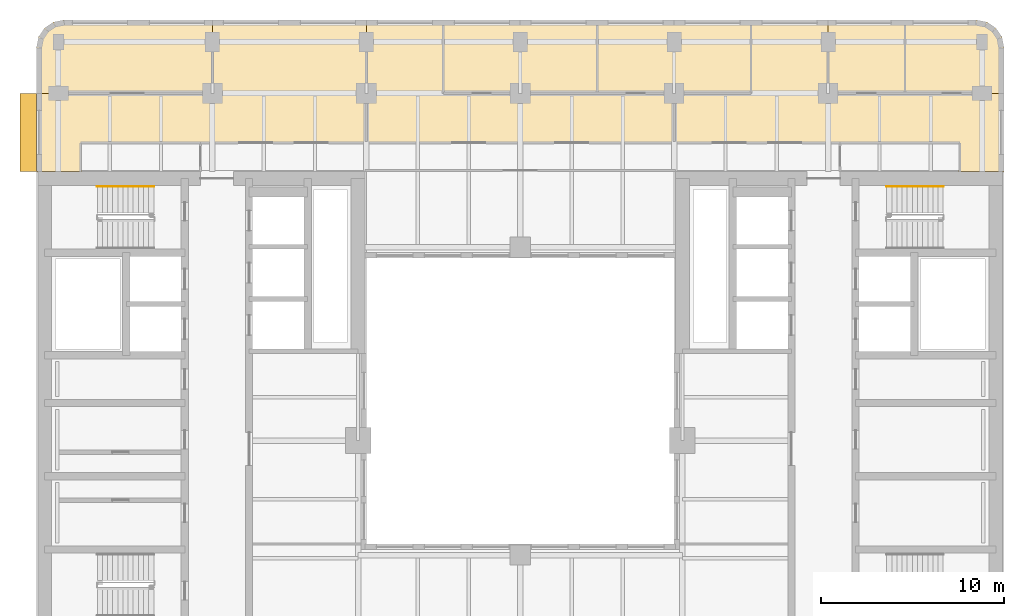
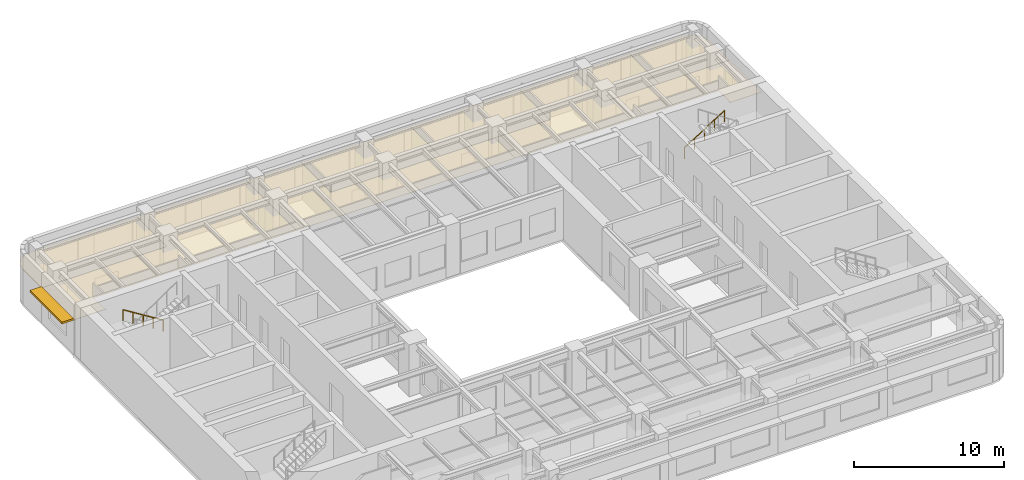
# One storey, part 11 of 11: 8 coverings, 2 railings, 1 shading device.
"""IFC4 building model written with IfcOpenShell, lengths in metres."""

from ifc_helpers import new_model, si_unit, direction, frame, origin, origin_2d, place, context, subcontext, project, spatial, polyline, rectangle, circle, outline, extrude, material, layer, layer_set, type_object, element, save


model = new_model("IFC4")

# Units and contexts
model_context = context("Model", 3, precision=1e-05, world=origin(), true_north=direction((0.0, 1.0)))
body_context = subcontext(model_context, "Body", "Model", "MODEL_VIEW")
ifc_project = project(units=[si_unit("LENGTHUNIT", "METRE"), si_unit("AREAUNIT", "SQUARE_METRE"), si_unit("VOLUMEUNIT", "CUBIC_METRE"), si_unit("PLANEANGLEUNIT", "RADIAN"), si_unit("MASSUNIT", "GRAM", prefix="KILO")], contexts=[model_context])

# Site, building, storey
site_placement = place(None, origin())
site = spatial("IfcSite", under=ifc_project, at=site_placement, CompositionType="ELEMENT")
building_placement = place(site_placement, origin())
building = spatial("IfcBuilding", under=site, at=building_placement, Name="Claustro Exchange Tower", CompositionType="ELEMENT")
storey_placement = place(building_placement, frame((0.0, 0.0, 207.0)))
storey = spatial("IfcBuildingStorey", under=building, at=storey_placement, Name="L47", CompositionType="ELEMENT", Elevation=207.0)

# Coverings
ifc_material_1 = material(Name="Perforated metal ceiling tiles", Category="steel")
ifc_layer_1 = layer(ifc_material_1, 0.030029296875)
ifc_layer_set_1 = layer_set([ifc_layer_1], Name="Perforated metal ceiling tiles")
covering_type_1 = type_object("IfcCoveringType", Name="CL1 suspended metal ceiling", PredefinedType="CEILING", material=ifc_layer_set_1)
covering_1_placement = place(storey_placement, frame((0.0, 0.0, 2.800048828125)))
element("IfcCovering", 1, at=covering_1_placement, inside=storey, type_object=covering_type_1, Name="Ceiling CL1 L47-22", PredefinedType="CEILING", context=body_context, shape_type="SweptSolid", body=[
    extrude(outline(polyline([(-1.125, 37.72509765625), (1.294921875, 37.72509765625), (1.294921875, 37.800048828125), (1.199951171875, 37.800048828125), (1.199951171875, 39.300048828125), (16.800048828125, 39.300048828125), (16.800048828125, 46.0), (8.39990234375, 46.0), (8.39990234375, 42.0), (-1.199951171875, 42.0), (-1.199951171875, 37.705078125), (-1.125, 37.705078125), (-1.125, 37.72509765625)])), origin(), (0.0, 0.0, 1.0), 0.030029296875),
])
ifc_material_2 = material(Name="Gypsum board ceiling", Category="gypsum board")
ifc_layer_2 = layer(ifc_material_2, 0.02490234375)
ifc_layer_set_2 = layer_set([ifc_layer_2], Name="Gypsum board ceiling")
covering_type_2 = type_object("IfcCoveringType", Name="CL2 plasterboard ceiling", PredefinedType="CEILING", material=ifc_layer_set_2)
covering_2_placement = place(storey_placement, frame((0.0, 0.0, 2.800048828125)))
element("IfcCovering", 2, at=covering_2_placement, inside=storey, type_object=covering_type_2, Name="Ceiling CL2 L47-20", PredefinedType="CEILING", context=body_context, shape_type="SweptSolid", body=[
    extrude(outline(polyline([(51.52490234375, 37.72509765625), (51.52490234375, 37.705078125), (51.60009765625, 37.705078125), (51.60009765625, 42.0), (42.0, 42.0), (42.0, 46.0), (37.800048828125, 46.0), (37.800048828125, 42.0), (33.60009765625, 42.0), (33.60009765625, 39.300048828125), (49.199951171875, 39.300048828125), (49.199951171875, 37.800048828125), (49.10498046875, 37.800048828125), (49.10498046875, 37.72509765625), (51.52490234375, 37.72509765625)])), origin(), (0.0, 0.0, 1.0), 0.02490234375),
])
covering_3_placement = place(storey_placement, frame((0.0, 0.0, 2.800048828125)))
element("IfcCovering", 3, at=covering_3_placement, inside=storey, type_object=covering_type_2, Name="Ceiling CL2 L47-21", PredefinedType="CEILING", context=body_context, shape_type="SweptSolid", body=[
    extrude(outline(polyline([(21.0, 46.0), (16.800048828125, 46.0), (16.800048828125, 39.300048828125), (33.60009765625, 39.300048828125), (33.60009765625, 42.0), (29.39990234375, 42.0), (21.0, 42.0), (21.0, 46.0)])), origin(), (0.0, 0.0, 1.0), 0.02490234375),
])
covering_4_placement = place(storey_placement, frame((0.0, 0.0, 2.800048828125)))
element("IfcCovering", 4, at=covering_4_placement, inside=storey, type_object=covering_type_2, Name="Ceiling CL2 L47-23", PredefinedType="CEILING", context=body_context, shape_type="SweptSolid", body=[
    extrude(outline(polyline([(-1.199951171875, 44.5), (-1.199951171875, 42.0), (8.39990234375, 42.0), (8.39990234375, 46.0), (0.300048828125, 46.0), (-0.27392578125, 45.8857421875), (-0.7607421875, 45.560791015625), (-1.085693359375, 45.073974609375), (-1.199951171875, 44.5)])), origin(), (0.0, 0.0, 1.0), 0.02490234375),
])
covering_5_placement = place(storey_placement, frame((0.0, 0.0, 2.800048828125)))
element("IfcCovering", 5, at=covering_5_placement, inside=storey, type_object=covering_type_2, Name="Ceiling CL2 L47-24", PredefinedType="CEILING", context=body_context, shape_type="SweptSolid", body=[
    extrude(outline(polyline([(29.39990234375, 46.0), (21.0, 46.0), (21.0, 42.0), (29.39990234375, 42.0), (29.39990234375, 46.0)])), origin(), (0.0, 0.0, 1.0), 0.02490234375),
])
covering_6_placement = place(storey_placement, frame((0.0, 0.0, 2.800048828125)))
element("IfcCovering", 6, at=covering_6_placement, inside=storey, type_object=covering_type_2, Name="Ceiling CL2 L47-25", PredefinedType="CEILING", context=body_context, shape_type="SweptSolid", body=[
    extrude(outline(polyline([(37.800048828125, 46.0), (29.39990234375, 46.0), (29.39990234375, 42.0), (37.800048828125, 42.0), (37.800048828125, 46.0)])), origin(), (0.0, 0.0, 1.0), 0.02490234375),
])
covering_7_placement = place(storey_placement, frame((0.0, 0.0, 2.800048828125)))
element("IfcCovering", 7, at=covering_7_placement, inside=storey, type_object=covering_type_2, Name="Ceiling CL2 L47-26", PredefinedType="CEILING", context=body_context, shape_type="SweptSolid", body=[
    extrude(outline(polyline([(46.199951171875, 46.0), (42.0, 46.0), (42.0, 42.0), (46.199951171875, 42.0), (46.199951171875, 46.0)])), origin(), (0.0, 0.0, 1.0), 0.02490234375),
])
covering_8_placement = place(storey_placement, frame((0.0, 0.0, 2.800048828125)))
element("IfcCovering", 8, at=covering_8_placement, inside=storey, type_object=covering_type_2, Name="Ceiling CL2 L47-27", PredefinedType="CEILING", context=body_context, shape_type="SweptSolid", body=[
    extrude(outline(polyline([(50.10009765625, 46.0), (46.199951171875, 46.0), (46.199951171875, 42.0), (51.60009765625, 42.0), (51.60009765625, 44.5), (51.48583984375, 45.073974609375), (51.16064453125, 45.560791015625), (50.674072265625, 45.8857421875), (50.10009765625, 46.0)])), origin(), (0.0, 0.0, 1.0), 0.02490234375),
])

# Railings
ifc_material_3 = material(Name="Stainless steel tube", Category="steel")
railing_type = type_object("IfcRailingType", Name="HR1 900 stair handrail", PredefinedType="HANDRAIL", material=ifc_material_3)
railing_1_placement = place(storey_placement, frame((5.199951171875, 36.9150390625, 0.175048828125)))
element("IfcRailing", 9, at=railing_1_placement, inside=storey, type_object=railing_type, Name="Handrail HR1 stair STWB L47", PredefinedType="HANDRAIL", context=body_context, shape_type="SweptSolid", body=[
    extrude(circle(Radius=0.02392578125, at=origin_2d()), frame((0.0, 0.0, 0.8759765625), z_axis=(-0.847979421464, 0.0, 0.530029150871), x_axis=(0.0, -1.0, 0.0)), (0.0, 0.0, 1.0), 3.632080078125),
    extrude(circle(Radius=0.02099609375, at=origin_2d()), origin(), (0.0, 0.0, 1.0), 0.851806640625),
    extrude(circle(Radius=0.02099609375, at=origin_2d()), frame((-0.77001953125, 0.0, 0.481201171875)), (0.0, 0.0, 1.0), 0.851806640625),
    extrude(circle(Radius=0.02099609375, at=origin_2d()), frame((-1.5400390625, 0.0, 0.96240234375)), (0.0, 0.0, 1.0), 0.851806640625),
    extrude(circle(Radius=0.02099609375, at=origin_2d()), frame((-2.309814453125, 0.0, 1.44384765625)), (0.0, 0.0, 1.0), 0.851806640625),
    extrude(circle(Radius=0.02099609375, at=origin_2d()), frame((-3.079833984375, 0.0, 1.925048828125)), (0.0, 0.0, 1.0), 0.851806640625),
])
railing_2_placement = place(storey_placement, frame((45.199951171875, 36.9150390625, 0.175048828125)))
element("IfcRailing", 10, at=railing_2_placement, inside=storey, type_object=railing_type, Name="Handrail HR1 stair STEB L47", PredefinedType="HANDRAIL", context=body_context, shape_type="SweptSolid", body=[
    extrude(circle(Radius=0.02392578125, at=origin_2d()), frame((0.0, 0.0, 0.8759765625), z_axis=(0.847998304005, 0.0, 0.529998940003), x_axis=(0.0, 1.0, 0.0)), (0.0, 0.0, 1.0), 3.632080078125),
    extrude(circle(Radius=0.02099609375, at=origin_2d()), origin(), (0.0, 0.0, 1.0), 0.851806640625),
    extrude(circle(Radius=0.02099609375, at=origin_2d()), frame((0.77001953125, 0.0, 0.481201171875)), (0.0, 0.0, 1.0), 0.851806640625),
    extrude(circle(Radius=0.02099609375, at=origin_2d()), frame((1.5400390625, 0.0, 0.96240234375)), (0.0, 0.0, 1.0), 0.851806640625),
    extrude(circle(Radius=0.02099609375, at=origin_2d()), frame((2.31005859375, 0.0, 1.44384765625)), (0.0, 0.0, 1.0), 0.851806640625),
    extrude(circle(Radius=0.02099609375, at=origin_2d()), frame((3.080078125, 0.0, 1.925048828125)), (0.0, 0.0, 1.0), 0.851806640625),
])

# Shading device
ifc_material_4 = material(Name="Concrete HA-40 (C40/50), precast, white cement, acid-etched", Category="concrete")
ifc_layer_3 = layer(ifc_material_4, 0.14990234375)
ifc_layer_set_3 = layer_set([ifc_layer_3], Name="Concrete HA-40 (C40/50), precast, white cement, acid-etched")
shading_device_type = type_object("IfcShadingDeviceType", Name="SS2 900 precast concrete SUNSHADE", PredefinedType="SHUTTER", material=ifc_layer_set_3)
shading_device_placement = place(storey_placement, frame((-1.64990234375, 39.862548828125, 2.800048828125), z_axis=(0.0, 0.0, 1.0), x_axis=(0.0, 1.0, 0.0)))
element("IfcShadingDevice", 11, at=shading_device_placement, inside=storey, type_object=shading_device_type, Name="Precast SUNSHADE SS2 L47", PredefinedType="SHUTTER", context=body_context, shape_type="SweptSolid", body=[
    extrude(rectangle(XDim=4.27490234375, YDim=0.89990234375, at=origin_2d()), origin(), (0.0, 0.0, 1.0), 0.14990234375),
])

save(model, "model.ifc")
